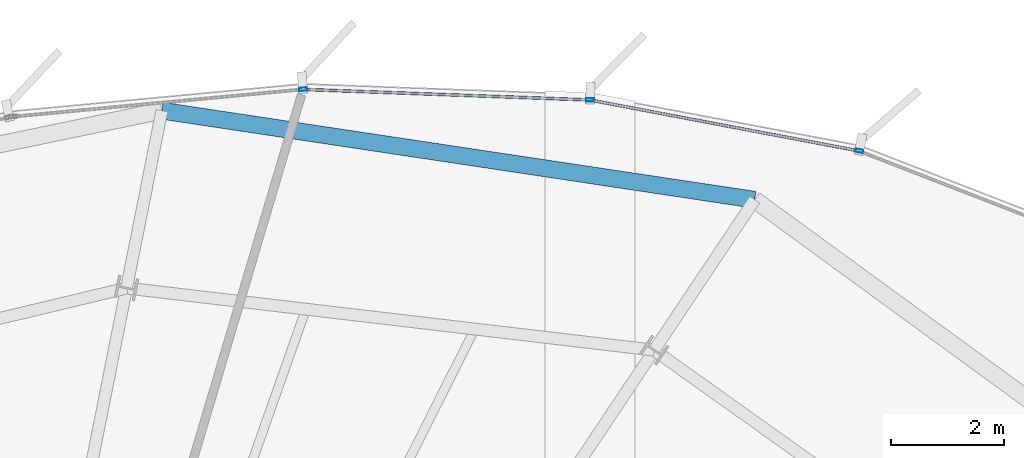
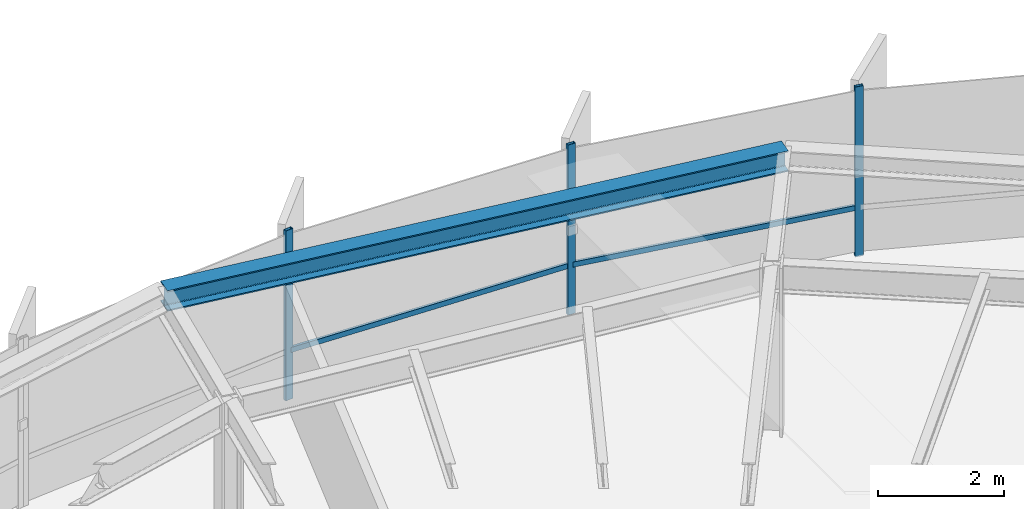
# One storey, part 24 of 32: 5 members, 1 beam, 1 element without a shape of its own.
"""IFC4 building model written with IfcOpenShell, lengths in metres."""

from ifc_helpers import new_model, si_unit, direction, frame, origin, origin_2d, place, context, subcontext, project, spatial, hollow_rectangle, i_section, extrude, source, transform, mapped, material, layer, layer_set, material_profile, profile_set, type_object, element, aggregate, save


model = new_model("IFC4")

# Units and contexts
model_context = context("Model", 3, precision=1e-05, world=origin(), true_north=direction((0.0, 1.0)))
body_context = subcontext(model_context, "Body", "Model", "MODEL_VIEW")
ifc_project = project(units=[si_unit("LENGTHUNIT", "METRE"), si_unit("AREAUNIT", "SQUARE_METRE"), si_unit("VOLUMEUNIT", "CUBIC_METRE"), si_unit("PLANEANGLEUNIT", "RADIAN"), si_unit("MASSUNIT", "GRAM", prefix="KILO"), si_unit("THERMODYNAMICTEMPERATUREUNIT", "KELVIN")], contexts=[model_context])

# Site, building, storey
site_placement = place(None, origin())
site = spatial("IfcSite", under=ifc_project, at=site_placement, CompositionType="ELEMENT")
building_placement = place(site_placement, origin())
building = spatial("IfcBuilding", under=site, at=building_placement, Name="Kethvar Cultural Tower", CompositionType="ELEMENT")
storey_placement = place(building_placement, frame((0.0, 0.0, 160.75)))
storey = spatial("IfcBuildingStorey", under=building, at=storey_placement, Name="L41", CompositionType="ELEMENT", Elevation=160.75)

# Beam
ifc_material_1 = material(Name="Steel S355J2", Category="steel")
ifc_material_profile_1 = material_profile(ifc_material_1, i_section(OverallWidth=0.300048828125, OverallDepth=0.39990234375, WebThickness=0.013427734375, FlangeThickness=0.02392578125, FilletRadius=0.027099609375, at=origin_2d()), Name="Steel S355J2 — HEB400")
ifc_profile_set_1 = profile_set([ifc_material_profile_1], Name="Steel S355J2 — HEB400")
beam_type = type_object("IfcBeamType", Name="BM-SP400", PredefinedType="SPANDREL", material=ifc_profile_set_1)
shared_shape_1 = source(origin(), body_context, "Body", "SweptSolid", [
    extrude(i_section(OverallWidth=0.300048828125, OverallDepth=0.39990234375, WebThickness=0.013427734375, FlangeThickness=0.02392578125, FilletRadius=0.027099609375, at=origin_2d()), origin(), (0.0, 0.0, 1.0), 10.607421875),
])
beam_placement = place(storey_placement, frame((62.1826171875, 50.821533203125, 3.097900390625), z_axis=(-0.98889884318, 0.148590302369, 0.0), x_axis=(-0.148590302369, -0.98889884318, 0.0)))
element("IfcBeam", 1, at=beam_placement, inside=storey, type_object=beam_type, Name="L41 Perimeter Spandrel Beam SP-03", PredefinedType="SPANDREL", context=body_context, shape_type="MappedRepresentation", body=[
    mapped(shared_shape_1, transform((0.0, 0.0, 0.0), scale=1.0)),
])

# Curtain wall, members
ifc_material_2 = material(Name="Aluminium 6063-T6", Category="aluminium")
ifc_layer = layer(ifc_material_2, 0.179931640625, Name="Aluminium 6063-T6", Category="aluminium")
ifc_layer_set = layer_set([ifc_layer], Name="Aluminium 6063-T6 (180 mm)")
curtain_wall_type = type_object("IfcCurtainWallType", Name="CW-SYS-04-Z34", PredefinedType="NOTDEFINED", material=ifc_layer_set)
curtain_wall_placement = place(storey_placement, origin())
curtain_wall = element("IfcCurtainWall", 2, at=curtain_wall_placement, inside=storey, type_object=curtain_wall_type, Name="L41 Curtain Wall Run 01", PredefinedType="NOTDEFINED")
ifc_material_profile_2 = material_profile(ifc_material_2, hollow_rectangle(XDim=0.06005859375, YDim=0.139892578125, WallThickness=0.0048828125, at=origin_2d()), Name="Aluminium 6063-T6 — RHS140x60x5")
ifc_profile_set_2 = profile_set([ifc_material_profile_2], Name="Aluminium 6063-T6 — RHS140x60x5")
member_type_1 = type_object("IfcMemberType", Name="CW-SYS-04-Z34-MUL", PredefinedType="MULLION", material=ifc_profile_set_2)
shared_shape_2 = source(origin(), body_context, "Body", "SweptSolid", [
    extrude(hollow_rectangle(XDim=0.06005859375, YDim=0.139892578125, WallThickness=0.0048828125, at=origin_2d()), origin(), (0.0, 0.0, 1.0), 3.300048828125),
])
member_1_placement = place(storey_placement, frame((64.033203125, 51.685302734375, 0.0), z_axis=(0.0, 0.0, 1.0), x_axis=(-0.185872409255, -0.982573889068, 0.0)))
member_1 = element("IfcMember", 3, at=member_1_placement, type_object=member_type_1, Name="CW-L41-R01 Mullion 4", PredefinedType="MULLION", context=body_context, shape_type="MappedRepresentation", body=[
    mapped(shared_shape_2, transform((0.0, 0.0, 0.0), scale=1.0)),
])
member_2_placement = place(storey_placement, frame((59.2705078125, 52.58740234375, 0.0), z_axis=(0.0, 0.0, 1.0), x_axis=(-0.03690533101, -0.999318766232, 0.0)))
member_2 = element("IfcMember", 4, at=member_2_placement, type_object=member_type_1, Name="CW-L41-R01 Mullion 5", PredefinedType="MULLION", context=body_context, shape_type="MappedRepresentation", body=[
    mapped(shared_shape_2, transform((0.0, 0.0, 0.0), scale=1.0)),
])
member_3_placement = place(storey_placement, frame((54.193115234375, 52.77587890625, 0.0), z_axis=(0.0, 0.0, 1.0), x_axis=(0.09370866156, -0.995599661887, 0.0)))
member_3 = element("IfcMember", 5, at=member_3_placement, type_object=member_type_1, Name="CW-L41-R01 Mullion 6", PredefinedType="MULLION", context=body_context, shape_type="MappedRepresentation", body=[
    mapped(shared_shape_2, transform((0.0, 0.0, 0.0), scale=1.0)),
])
ifc_material_profile_3 = material_profile(ifc_material_2, hollow_rectangle(XDim=0.050048828125, YDim=0.10009765625, WallThickness=0.00390625, at=origin_2d()), Name="Aluminium 6063-T6 — RHS100x50x4")
ifc_profile_set_3 = profile_set([ifc_material_profile_3], Name="Aluminium 6063-T6 — RHS100x50x4")
member_type_2 = type_object("IfcMemberType", Name="CW-SYS-04-Z34-TRN", PredefinedType="USERDEFINED", material=ifc_profile_set_3)
shared_shape_3 = source(origin(), body_context, "Body", "SweptSolid", [
    extrude(hollow_rectangle(XDim=0.050048828125, YDim=0.10009765625, WallThickness=0.00390625, at=origin_2d()), origin(), (0.0, 0.0, 1.0), 4.777099609375),
])
member_4_placement = place(storey_placement, frame((63.990478515625, 51.693115234375, 0.949951171875), z_axis=(-0.982564190303, 0.185923672335, 0.0), x_axis=(-0.185923672335, -0.982564190303, 0.0)))
member_4 = element("IfcMember", 6, at=member_4_placement, type_object=member_type_2, Name="CW-L41-R01 Transom 4", ObjectType="TRANSOM", PredefinedType="USERDEFINED", context=body_context, shape_type="MappedRepresentation", body=[
    mapped(shared_shape_3, transform((0.0, 0.0, 0.0), scale=1.0)),
])
shared_shape_4 = source(origin(), body_context, "Body", "SweptSolid", [
    extrude(hollow_rectangle(XDim=0.050048828125, YDim=0.10009765625, WallThickness=0.00390625, at=origin_2d()), origin(), (0.0, 0.0, 1.0), 5.009033203125),
])
member_5_placement = place(storey_placement, frame((59.2275390625, 52.589111328125, 0.949951171875), z_axis=(-0.999320896138, 0.036847612422, 0.0), x_axis=(-0.036847612422, -0.999320896138, 0.0)))
member_5 = element("IfcMember", 7, at=member_5_placement, type_object=member_type_2, Name="CW-L41-R01 Transom 5", ObjectType="TRANSOM", PredefinedType="USERDEFINED", context=body_context, shape_type="MappedRepresentation", body=[
    mapped(shared_shape_4, transform((0.0, 0.0, 0.0), scale=1.0)),
])
aggregate(curtain_wall, [member_1, member_2, member_3, member_4, member_5])

save(model, "model.ifc")
